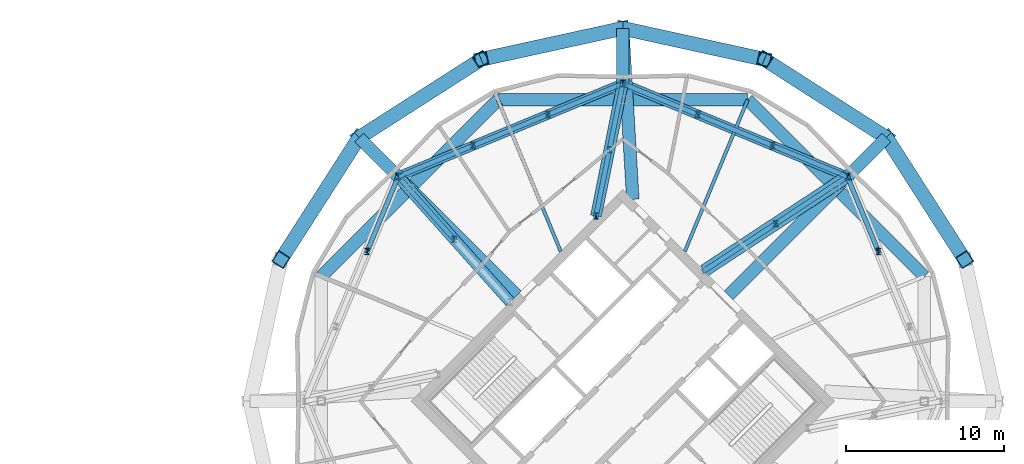
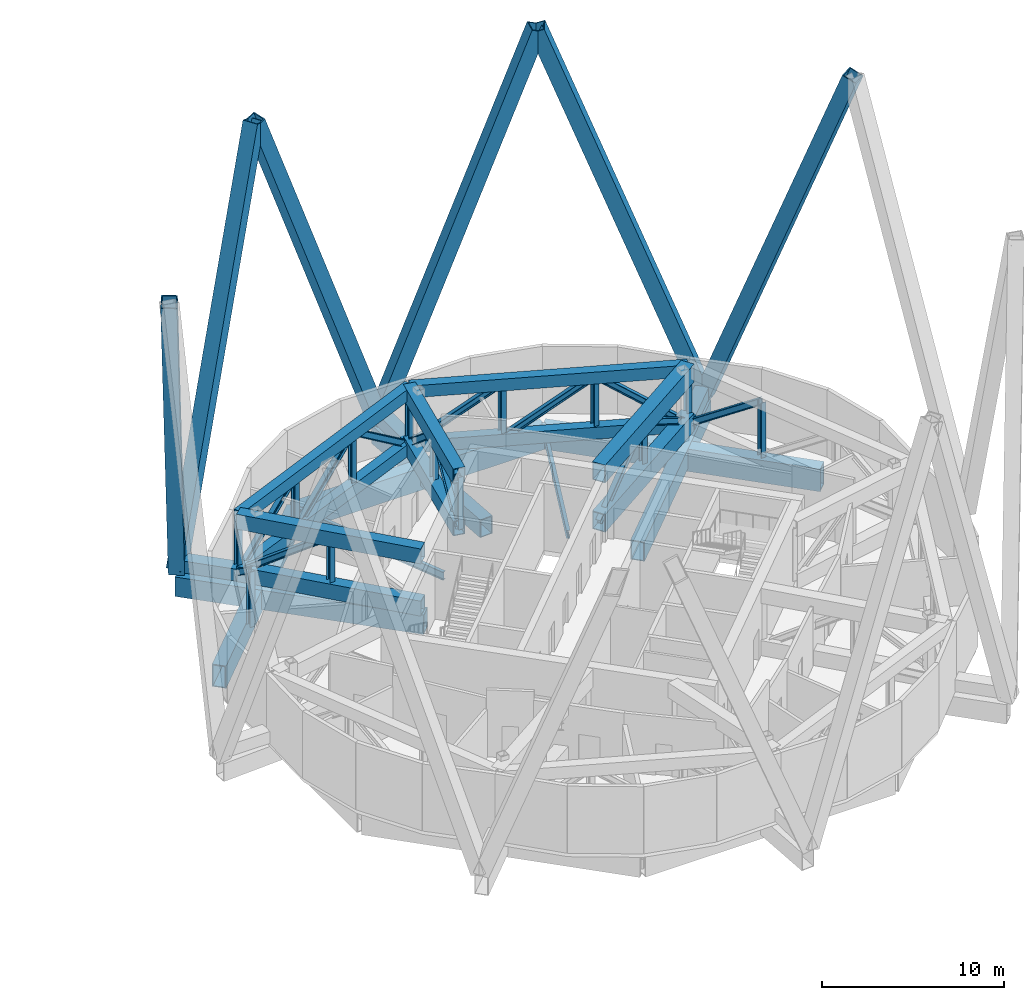
# One storey, part 10 of 19: 42 members, 11 beams.
"""IFC4 building model written with IfcOpenShell, lengths in metres."""

from ifc_helpers import new_model, si_unit, direction, frame, origin, origin_2d, place, context, subcontext, project, spatial, hollow_rectangle, i_section, extrude, material, material_profile, profile_set, type_object, element, save


model = new_model("IFC4")

# Units and contexts
model_context = context("Model", 3, precision=1e-05, world=origin(), true_north=direction((0.0, 1.0)))
body_context = subcontext(model_context, "Body", "Model", "MODEL_VIEW")
ifc_project = project(units=[si_unit("LENGTHUNIT", "METRE"), si_unit("AREAUNIT", "SQUARE_METRE"), si_unit("VOLUMEUNIT", "CUBIC_METRE"), si_unit("PLANEANGLEUNIT", "RADIAN"), si_unit("MASSUNIT", "GRAM", prefix="KILO")], contexts=[model_context])

# Site, building, storey
site_placement = place(None, origin())
site = spatial("IfcSite", under=ifc_project, at=site_placement, CompositionType="ELEMENT")
building_placement = place(site_placement, origin())
building = spatial("IfcBuilding", under=site, at=building_placement, Name="Ogive Gate Towers", CompositionType="ELEMENT")
storey_placement = place(building_placement, frame((0.0, 0.0, 216.300048828125)))
storey = spatial("IfcBuildingStorey", under=building, at=storey_placement, Name="L52", CompositionType="ELEMENT", Elevation=216.300048828125)

# Members
ifc_material_1 = material(Name="Steel SM460", Category="steel")
ifc_material_profile_1 = material_profile(ifc_material_1, hollow_rectangle(XDim=0.89990234375, YDim=0.89990234375, WallThickness=0.06005859375, at=origin_2d()), Name="BX 900x900x60")
ifc_profile_set_1 = profile_set([ifc_material_profile_1], Name="Steel SM460")
member_type_1 = type_object("IfcMemberType", Name="Diagrid diagonal BX 900x900x60", PredefinedType="BRACE", material=ifc_profile_set_1)
for number, where, z_axis, x_axis, name in (
    (1, (52.716064453125, 16.716064453125, 0.0), (0.190849196279, -0.297855932112, 0.935338670207), (0.841987125326, 0.539497618887, 0.0), "T2/L52/SDG003"),
    (2, (52.716064453125, 16.716064453125, 0.0), (-0.297855932112, 0.190849196279, 0.935338670207), (-0.539497618887, -0.841987125326, 0.0), "T2/L52/SDG004"),
    (3, (36.0, 23.639892578125, 0.0), (0.345566183474, -0.075657502601, 0.935339486571), (0.21387195941, 0.976861702074, 0.0), "T2/L52/SDG005"),
    (4, (36.0, 23.639892578125, 0.0), (-0.345566183474, -0.075657502601, 0.935339486571), (0.21387195941, -0.976861702074, 0.0), "T2/L52/SDG006"),
    (5, (19.283935546875, 16.716064453125, 0.0), (0.297855932112, 0.190849196279, 0.935338670207), (-0.539497618887, 0.841987125326, 0.0), "T2/L52/SDG007"),
    (6, (19.283935546875, 16.716064453125, 0.0), (-0.190849196279, -0.297855932112, 0.935338670207), (0.841987125326, -0.539497618887, 0.0), "T2/L52/SDG008"),
):
    element("IfcMember", number, at=place(storey_placement, frame(where, z_axis=z_axis, x_axis=x_axis)), inside=storey, type_object=member_type_1, Name=name, PredefinedType="BRACE", context=body_context, shape_type="SweptSolid", body=[
        extrude(hollow_rectangle(XDim=0.89990234375, YDim=0.89990234375, WallThickness=0.06005859375, at=origin_2d()), origin(), (0.0, 0.0, 1.0), 25.97998046875),
    ])

# Beams
ifc_material_profile_2 = material_profile(ifc_material_1, hollow_rectangle(XDim=0.800048828125, YDim=1.5, WallThickness=0.06005859375, at=origin_2d()), Name="BX 1500x800x60")
ifc_profile_set_2 = profile_set([ifc_material_profile_2], Name="Steel SM460")
beam_type_1 = type_object("IfcBeamType", Name="Edge girder BX 1500x800x60", PredefinedType="BEAM", material=ifc_profile_set_2)
beam_1_placement = place(storey_placement, frame((55.114990234375, 7.917724609375, -1.050048828125), z_axis=(-0.707106781187, 0.707106781187, 0.0), x_axis=(-0.707106781187, -0.707106781187, 0.0)))
element("IfcBeam", 7, at=beam_1_placement, inside=storey, type_object=beam_type_1, Name="T2/L52/SBM021", PredefinedType="BEAM", context=body_context, shape_type="SweptSolid", body=[
    extrude(hollow_rectangle(XDim=0.800048828125, YDim=1.5, WallThickness=0.06005859375, at=origin_2d()), origin(), (0.0, 0.0, 1.0), 15.835205078125),
])
beam_2_placement = place(storey_placement, frame((43.917724609375, 19.114990234375, -1.050048828125), z_axis=(-1.0, 0.0, 0.0), x_axis=(0.0, -1.0, 0.0)))
element("IfcBeam", 8, at=beam_2_placement, inside=storey, type_object=beam_type_1, Name="T2/L52/SBM022", PredefinedType="BEAM", context=body_context, shape_type="SweptSolid", body=[
    extrude(hollow_rectangle(XDim=0.800048828125, YDim=1.5, WallThickness=0.06005859375, at=origin_2d()), origin(), (0.0, 0.0, 1.0), 15.83544921875),
])
beam_3_placement = place(storey_placement, frame((28.082275390625, 19.114990234375, -1.050048828125), z_axis=(-0.707106781187, -0.707106781187, 0.0), x_axis=(0.707106781187, -0.707106781187, 0.0)))
element("IfcBeam", 9, at=beam_3_placement, inside=storey, type_object=beam_type_1, Name="T2/L52/SBM023", PredefinedType="BEAM", context=body_context, shape_type="SweptSolid", body=[
    extrude(hollow_rectangle(XDim=0.800048828125, YDim=1.5, WallThickness=0.06005859375, at=origin_2d()), origin(), (0.0, 0.0, 1.0), 15.835205078125),
])
ifc_material_profile_3 = material_profile(ifc_material_1, hollow_rectangle(XDim=0.800048828125, YDim=0.800048828125, WallThickness=0.050048828125, at=origin_2d()), Name="BX 800x800x50")
ifc_profile_set_3 = profile_set([ifc_material_profile_3], Name="Steel SM460")
beam_type_2 = type_object("IfcBeamType", Name="Node arm BX 800x800x50", PredefinedType="BEAM", material=ifc_profile_set_3)
for number, where, z_axis, x_axis, name in (
    (10, (50.2412109375, 14.2412109375, 0.449951171875), (0.707106781187, 0.707106781187, 0.0), (-0.707106781187, 0.707106781187, 0.0), "T2/L52/SBM026"),
    (11, (36.0, 20.139892578125, 0.449951171875), (0.0, 1.0, 0.0), (-1.0, 0.0, 0.0), "T2/L52/SBM027"),
    (12, (21.7587890625, 14.2412109375, 0.449951171875), (-0.707106781187, 0.707106781187, 0.0), (-0.707106781187, -0.707106781187, 0.0), "T2/L52/SBM028"),
):
    element("IfcBeam", number, at=place(storey_placement, frame(where, z_axis=z_axis, x_axis=x_axis)), inside=storey, type_object=beam_type_2, Name=name, PredefinedType="BEAM", context=body_context, shape_type="SweptSolid", body=[
        extrude(hollow_rectangle(XDim=0.800048828125, YDim=0.800048828125, WallThickness=0.050048828125, at=origin_2d()), origin(), (0.0, 0.0, 1.0), 3.5),
    ])
ifc_material_2 = material(Name="Steel SM355", Category="steel")
ifc_material_profile_4 = material_profile(ifc_material_2, i_section(OverallWidth=0.2099609375, OverallDepth=0.550048828125, WebThickness=0.010986328125, FlangeThickness=0.01708984375, FilletRadius=0.02392578125, at=origin_2d()), Name="IPE 550")
ifc_profile_set_4 = profile_set([ifc_material_profile_4], Name="Steel SM355")
beam_type_3 = type_object("IfcBeamType", Name="Radial floor beam IPE 550", PredefinedType="BEAM", material=ifc_profile_set_4)
for number, where, z_axis, x_axis, name in (
    (13, (39.93505859375, 9.5, -0.574951171875), (0.382683978464, 0.92387930631, 0.0), (-0.92387930631, 0.382683978464, 0.0), "T2/L52/SBM011"),
    (14, (32.06494140625, 9.5, -0.574951171875), (-0.382683978464, 0.92387930631, 0.0), (-0.92387930631, -0.382683978464, 0.0), "T2/L52/SBM013"),
):
    element("IfcBeam", number, at=place(storey_placement, frame(where, z_axis=z_axis, x_axis=x_axis)), inside=storey, type_object=beam_type_3, Name=name, PredefinedType="BEAM", context=body_context, shape_type="SweptSolid", body=[
        extrude(i_section(OverallWidth=0.2099609375, OverallDepth=0.550048828125, WebThickness=0.010986328125, FlangeThickness=0.01708984375, FilletRadius=0.02392578125, at=origin_2d()), origin(), (0.0, 0.0, 1.0), 10.4072265625),
    ])
ifc_material_profile_5 = material_profile(ifc_material_1, hollow_rectangle(XDim=0.800048828125, YDim=1.199951171875, WallThickness=0.050048828125, at=origin_2d()), Name="BX 1200x800x50")
ifc_profile_set_5 = profile_set([ifc_material_profile_5], Name="Steel SM460")
beam_type_4 = type_object("IfcBeamType", Name="Transfer radial beam BX 1200x800x50", PredefinedType="BEAM", material=ifc_profile_set_5)
beam_4_placement = place(storey_placement, frame((36.636474609375, 12.798583984375, -0.900146484375), z_axis=(-0.058607369633, 0.998281110822, 0.0), x_axis=(-0.998281110822, -0.058607369633, 0.0)))
element("IfcBeam", 15, at=beam_4_placement, inside=storey, type_object=beam_type_4, Name="T2/L52/SBM012", PredefinedType="BEAM", context=body_context, shape_type="SweptSolid", body=[
    extrude(hollow_rectangle(XDim=0.800048828125, YDim=1.199951171875, WallThickness=0.050048828125, at=origin_2d()), origin(), (0.0, 0.0, 1.0), 10.85986328125),
])
ifc_material_profile_6 = material_profile(ifc_material_1, hollow_rectangle(XDim=0.800048828125, YDim=1.300048828125, WallThickness=0.050048828125, at=origin_2d()), Name="BX 1300x800x50")
ifc_profile_set_6 = profile_set([ifc_material_profile_6], Name="Steel SM460")
beam_type_5 = type_object("IfcBeamType", Name="Transfer radial beam BX 1300x800x50", PredefinedType="BEAM", material=ifc_profile_set_6)
for number, where, z_axis, x_axis, name in (
    (16, (42.717529296875, 6.717529296875, -0.949951171875), (0.707106781187, 0.707106781187, 0.0), (-0.707106781187, 0.707106781187, 0.0), "T2/L52/SBM010"),
    (17, (29.282470703125, 6.717529296875, -0.949951171875), (-0.707106781187, 0.707106781187, 0.0), (-0.707106781187, -0.707106781187, 0.0), "T2/L52/SBM014"),
):
    element("IfcBeam", number, at=place(storey_placement, frame(where, z_axis=z_axis, x_axis=x_axis)), inside=storey, type_object=beam_type_5, Name=name, PredefinedType="BEAM", context=body_context, shape_type="SweptSolid", body=[
        extrude(hollow_rectangle(XDim=0.800048828125, YDim=1.300048828125, WallThickness=0.050048828125, at=origin_2d()), origin(), (0.0, 0.0, 1.0), 14.14013671875),
    ])

# Members
ifc_material_profile_7 = material_profile(ifc_material_1, hollow_rectangle(XDim=0.699951171875, YDim=1.0, WallThickness=0.050048828125, at=origin_2d()), Name="BX 1000x700x50")
ifc_profile_set_7 = profile_set([ifc_material_profile_7], Name="Steel SM460")
member_type_2 = type_object("IfcMemberType", Name="Truss chord BX 1000x700x50", PredefinedType="CHORD", material=ifc_profile_set_7)
for number, where, z_axis, x_axis, name in (
    (18, (34.302978515625, 11.738037109375, 0.5), (0.197983590417, 0.980205334573, 0.0), (-0.980205334573, 0.197983590417, 0.0), "T2/L52/STR038"),
    (19, (34.302978515625, 11.738037109375, 4.0), (0.197983590417, 0.980205334573, 0.0), (-0.980205334573, 0.197983590417, 0.0), "T2/L52/STR039"),
):
    element("IfcMember", number, at=place(storey_placement, frame(where, z_axis=z_axis, x_axis=x_axis)), inside=storey, type_object=member_type_2, Name=name, PredefinedType="CHORD", context=body_context, shape_type="SweptSolid", body=[
        extrude(hollow_rectangle(XDim=0.699951171875, YDim=1.0, WallThickness=0.050048828125, at=origin_2d()), origin(), (0.0, 0.0, 1.0), 8.571533203125),
    ])
for number, where, z_axis, x_axis, name in (
    (20, (28.858154296875, 6.293212890625, 0.5), (-0.666169175231, 0.745800663697, 0.0), (-0.745800663697, -0.666169175231, 0.0), "T2/L52/STR052"),
    (21, (28.858154296875, 6.293212890625, 4.0), (-0.666169175231, 0.745800663697, 0.0), (-0.745800663697, -0.666169175231, 0.0), "T2/L52/STR053"),
):
    element("IfcMember", number, at=place(storey_placement, frame(where, z_axis=z_axis, x_axis=x_axis)), inside=storey, type_object=member_type_2, Name=name, PredefinedType="CHORD", context=body_context, shape_type="SweptSolid", body=[
        extrude(hollow_rectangle(XDim=0.699951171875, YDim=1.0, WallThickness=0.050048828125, at=origin_2d()), origin(), (0.0, 0.0, 1.0), 10.656982421875),
    ])
ifc_material_profile_8 = material_profile(ifc_material_1, hollow_rectangle(XDim=0.800048828125, YDim=1.199951171875, WallThickness=0.050048828125, at=origin_2d()), Name="BX 1200x800x50")
ifc_profile_set_8 = profile_set([ifc_material_profile_8], Name="Steel SM460")
member_type_3 = type_object("IfcMemberType", Name="Truss chord BX 1200x800x50", PredefinedType="CHORD", material=ifc_profile_set_8)
for number, where, z_axis, x_axis, name in (
    (22, (41.161865234375, 8.273193359375, 0.599853515625), (0.835638293924, 0.549280112263, 0.0), (-0.549280112263, 0.835638293924, 0.0), "T2/L52/STR024"),
    (23, (41.161865234375, 8.273193359375, 3.89990234375), (0.835638293924, 0.549280112263, 0.0), (-0.549280112263, 0.835638293924, 0.0), "T2/L52/STR025"),
):
    element("IfcMember", number, at=place(storey_placement, frame(where, z_axis=z_axis, x_axis=x_axis)), inside=storey, type_object=member_type_3, Name=name, PredefinedType="CHORD", context=body_context, shape_type="SweptSolid", body=[
        extrude(hollow_rectangle(XDim=0.800048828125, YDim=1.199951171875, WallThickness=0.050048828125, at=origin_2d()), origin(), (0.0, 0.0, 1.0), 10.865234375),
    ])
ifc_material_profile_9 = material_profile(ifc_material_1, hollow_rectangle(XDim=0.60009765625, YDim=0.800048828125, WallThickness=0.0400390625, at=origin_2d()), Name="BX 800x600x40")
ifc_profile_set_9 = profile_set([ifc_material_profile_9], Name="Steel SM460")
member_type_4 = type_object("IfcMemberType", Name="Truss chord BX 800x600x40", PredefinedType="CHORD", material=ifc_profile_set_9)
for number, where, z_axis, x_axis, name in (
    (24, (50.2412109375, 14.2412109375, 0.39990234375), (-0.923884603085, 0.382671190687, 0.0), (-0.382671190687, -0.923884603085, 0.0), "T2/L52/STR016"),
    (25, (50.2412109375, 14.2412109375, 4.099853515625), (-0.923884603085, 0.382671190687, 0.0), (-0.382671190687, -0.923884603085, 0.0), "T2/L52/STR017"),
    (26, (36.0, 20.139892578125, 0.39990234375), (-0.923884603085, -0.382671190687, 0.0), (0.382671190687, -0.923884603085, 0.0), "T2/L52/STR030"),
    (27, (36.0, 20.139892578125, 4.099853515625), (-0.923884603085, -0.382671190687, 0.0), (0.382671190687, -0.923884603085, 0.0), "T2/L52/STR031"),
):
    element("IfcMember", number, at=place(storey_placement, frame(where, z_axis=z_axis, x_axis=x_axis)), inside=storey, type_object=member_type_4, Name=name, PredefinedType="CHORD", context=body_context, shape_type="SweptSolid", body=[
        extrude(hollow_rectangle(XDim=0.60009765625, YDim=0.800048828125, WallThickness=0.0400390625, at=origin_2d()), origin(), (0.0, 0.0, 1.0), 15.41455078125),
    ])
ifc_material_profile_10 = material_profile(ifc_material_1, i_section(OverallWidth=0.300048828125, OverallDepth=0.39990234375, WebThickness=0.013427734375, FlangeThickness=0.02392578125, FilletRadius=0.027099609375, at=origin_2d()), Name="HE 400 B")
ifc_profile_set_10 = profile_set([ifc_material_profile_10], Name="Steel SM460")
member_type_5 = type_object("IfcMemberType", Name="Truss diagonal HE 400 B", PredefinedType="BRACE", material=ifc_profile_set_10)
for number, where, z_axis, x_axis, name in (
    (28, (52.20751953125, 9.494140625, 4.099853515625), (-0.310548860821, 0.74972833993, -0.58435162475), (-0.923879003455, -0.382684709619, 0.0), "T2/L52/STR005"),
    (29, (50.2412109375, 14.2412109375, 0.39990234375), (-0.74972833993, 0.310548860821, 0.58435162475), (-0.382684709619, -0.923879003455, 0.0), "T2/L52/STR018"),
    (30, (45.494140625, 16.20751953125, 4.099853515625), (-0.74972833993, 0.310548860821, -0.58435162475), (-0.382684709619, -0.923879003455, 0.0), "T2/L52/STR019"),
):
    element("IfcMember", number, at=place(storey_placement, frame(where, z_axis=z_axis, x_axis=x_axis)), inside=storey, type_object=member_type_5, Name=name, PredefinedType="BRACE", context=body_context, shape_type="SweptSolid", body=[
        extrude(i_section(OverallWidth=0.300048828125, OverallDepth=0.39990234375, WebThickness=0.013427734375, FlangeThickness=0.02392578125, FilletRadius=0.027099609375, at=origin_2d()), origin(), (0.0, 0.0, 1.0), 6.331787109375),
    ])
member_1_placement = place(storey_placement, frame((40.7470703125, 18.173828125, 4.099853515625), z_axis=(-0.749737316967, 0.310514020445, -0.584358621613), x_axis=(-0.382644152086, -0.923895801957, 0.0)))
element("IfcMember", 31, at=member_1_placement, inside=storey, type_object=member_type_5, Name="T2/L52/STR020", PredefinedType="BRACE", context=body_context, shape_type="SweptSolid", body=[
    extrude(i_section(OverallWidth=0.300048828125, OverallDepth=0.39990234375, WebThickness=0.013427734375, FlangeThickness=0.02392578125, FilletRadius=0.027099609375, at=origin_2d()), origin(), (0.0, 0.0, 1.0), 6.33154296875),
])
member_2_placement = place(storey_placement, frame((41.161865234375, 8.273193359375, 0.599853515625), z_axis=(0.71419128267, 0.46944422162, 0.519184875113), x_axis=(-0.549274735187, 0.835641828348, 0.0)))
element("IfcMember", 32, at=member_2_placement, inside=storey, type_object=member_type_5, Name="T2/L52/STR026", PredefinedType="BRACE", context=body_context, shape_type="SweptSolid", body=[
    extrude(i_section(OverallWidth=0.300048828125, OverallDepth=0.39990234375, WebThickness=0.013427734375, FlangeThickness=0.02392578125, FilletRadius=0.027099609375, at=origin_2d()), origin(), (0.0, 0.0, 1.0), 6.356201171875),
])
member_3_placement = place(storey_placement, frame((45.701416015625, 11.257080078125, 3.89990234375), z_axis=(0.714197222457, 0.469461287985, -0.519161272167), x_axis=(-0.549285488982, 0.835634759685, 0.0)))
element("IfcMember", 33, at=member_3_placement, inside=storey, type_object=member_type_5, Name="T2/L52/STR027", PredefinedType="BRACE", context=body_context, shape_type="SweptSolid", body=[
    extrude(i_section(OverallWidth=0.300048828125, OverallDepth=0.39990234375, WebThickness=0.013427734375, FlangeThickness=0.02392578125, FilletRadius=0.027099609375, at=origin_2d()), origin(), (0.0, 0.0, 1.0), 6.3564453125),
])
member_4_placement = place(storey_placement, frame((36.0, 20.139892578125, 0.39990234375), z_axis=(-0.749737316967, -0.310514020445, 0.584358621613), x_axis=(0.382644152086, -0.923895801957, 0.0)))
element("IfcMember", 34, at=member_4_placement, inside=storey, type_object=member_type_5, Name="T2/L52/STR032", PredefinedType="BRACE", context=body_context, shape_type="SweptSolid", body=[
    extrude(i_section(OverallWidth=0.300048828125, OverallDepth=0.39990234375, WebThickness=0.013427734375, FlangeThickness=0.02392578125, FilletRadius=0.027099609375, at=origin_2d()), origin(), (0.0, 0.0, 1.0), 6.33154296875),
])
for number, where, z_axis, x_axis, name in (
    (35, (31.2529296875, 18.173828125, 4.099853515625), (-0.74972833993, -0.310548860821, -0.58435162475), (0.382684709619, -0.923879003455, 0.0), "T2/L52/STR033"),
    (36, (26.505859375, 16.20751953125, 4.099853515625), (-0.74972833993, -0.310548860821, -0.58435162475), (0.382684709619, -0.923879003455, 0.0), "T2/L52/STR034"),
):
    element("IfcMember", number, at=place(storey_placement, frame(where, z_axis=z_axis, x_axis=x_axis)), inside=storey, type_object=member_type_5, Name=name, PredefinedType="BRACE", context=body_context, shape_type="SweptSolid", body=[
        extrude(i_section(OverallWidth=0.300048828125, OverallDepth=0.39990234375, WebThickness=0.013427734375, FlangeThickness=0.02392578125, FilletRadius=0.027099609375, at=origin_2d()), origin(), (0.0, 0.0, 1.0), 6.331787109375),
    ])
member_5_placement = place(storey_placement, frame((34.302978515625, 11.738037109375, 0.5), z_axis=(0.153323806325, 0.759206542571, 0.632532399274), x_axis=(-0.980210861715, 0.197956223889, 0.0)))
element("IfcMember", 37, at=member_5_placement, inside=storey, type_object=member_type_5, Name="T2/L52/STR040", PredefinedType="BRACE", context=body_context, shape_type="SweptSolid", body=[
    extrude(i_section(OverallWidth=0.300048828125, OverallDepth=0.39990234375, WebThickness=0.013427734375, FlangeThickness=0.02392578125, FilletRadius=0.027099609375, at=origin_2d()), origin(), (0.0, 0.0, 1.0), 5.533203125),
])
member_6_placement = place(storey_placement, frame((35.1513671875, 15.93896484375, 4.0), z_axis=(0.153366890619, 0.759201405893, -0.632528119653), x_axis=(-0.98019980673, 0.198010956482, 0.0)))
element("IfcMember", 38, at=member_6_placement, inside=storey, type_object=member_type_5, Name="T2/L52/STR041", PredefinedType="BRACE", context=body_context, shape_type="SweptSolid", body=[
    extrude(i_section(OverallWidth=0.300048828125, OverallDepth=0.39990234375, WebThickness=0.013427734375, FlangeThickness=0.02392578125, FilletRadius=0.027099609375, at=origin_2d()), origin(), (0.0, 0.0, 1.0), 5.533447265625),
])
member_7_placement = place(storey_placement, frame((21.7587890625, 14.2412109375, 0.39990234375), z_axis=(-0.310548860821, -0.74972833993, 0.58435162475), x_axis=(0.923879003455, -0.382684709619, 0.0)))
element("IfcMember", 39, at=member_7_placement, inside=storey, type_object=member_type_5, Name="T2/L52/STR046", PredefinedType="BRACE", context=body_context, shape_type="SweptSolid", body=[
    extrude(i_section(OverallWidth=0.300048828125, OverallDepth=0.39990234375, WebThickness=0.013427734375, FlangeThickness=0.02392578125, FilletRadius=0.027099609375, at=origin_2d()), origin(), (0.0, 0.0, 1.0), 6.331787109375),
])
member_8_placement = place(storey_placement, frame((25.30859375, 10.267333984375, 4.0), z_axis=(-0.556817130401, 0.623336480849, -0.549004840539), x_axis=(-0.745779114868, -0.666193299145, 0.0)))
element("IfcMember", 40, at=member_8_placement, inside=storey, type_object=member_type_5, Name="T2/L52/STR055", PredefinedType="BRACE", context=body_context, shape_type="SweptSolid", body=[
    extrude(i_section(OverallWidth=0.300048828125, OverallDepth=0.39990234375, WebThickness=0.013427734375, FlangeThickness=0.02392578125, FilletRadius=0.027099609375, at=origin_2d()), origin(), (0.0, 0.0, 1.0), 6.375244140625),
])
ifc_material_profile_11 = material_profile(ifc_material_1, i_section(OverallWidth=0.300048828125, OverallDepth=0.39990234375, WebThickness=0.013427734375, FlangeThickness=0.02392578125, FilletRadius=0.027099609375, at=origin_2d()), Name="HE 400 B")
ifc_profile_set_11 = profile_set([ifc_material_profile_11], Name="Steel SM460")
member_type_6 = type_object("IfcMemberType", Name="Truss post HE 400 B", PredefinedType="POST", material=ifc_profile_set_11)
for number, where, z_axis, x_axis, name in (
    (41, (52.20751953125, 9.494140625, 0.39990234375), (0.0, 0.0, 1.0), (1.0, 0.0, 0.0), "T2/L52/STR008"),
    (42, (50.2412109375, 14.2412109375, 0.39990234375), (0.0, 0.0, 1.0), (1.0, 0.0, 0.0), "T2/L52/STR009"),
    (43, (45.494140625, 16.20751953125, 0.39990234375), (0.0, 0.0, 1.0), (1.0, 0.0, 0.0), "T2/L52/STR021"),
    (44, (40.7470703125, 18.173828125, 0.39990234375), (0.0, 0.0, 1.0), (1.0, 0.0, 0.0), "T2/L52/STR022"),
    (45, (36.0, 20.139892578125, 0.39990234375), (0.0, 0.0, 1.0), (1.0, 0.0, 0.0), "T2/L52/STR023"),
):
    element("IfcMember", number, at=place(storey_placement, frame(where, z_axis=z_axis, x_axis=x_axis)), inside=storey, type_object=member_type_6, Name=name, PredefinedType="POST", context=body_context, shape_type="SweptSolid", body=[
        extrude(i_section(OverallWidth=0.300048828125, OverallDepth=0.39990234375, WebThickness=0.013427734375, FlangeThickness=0.02392578125, FilletRadius=0.027099609375, at=origin_2d()), origin(), (0.0, 0.0, 1.0), 3.699951171875),
    ])
member_9_placement = place(storey_placement, frame((45.701416015625, 11.257080078125, 0.599853515625), z_axis=(0.0, 0.0, 1.0), x_axis=(1.0, 0.0, 0.0)))
element("IfcMember", 46, at=member_9_placement, inside=storey, type_object=member_type_6, Name="T2/L52/STR029", PredefinedType="POST", context=body_context, shape_type="SweptSolid", body=[
    extrude(i_section(OverallWidth=0.300048828125, OverallDepth=0.39990234375, WebThickness=0.013427734375, FlangeThickness=0.02392578125, FilletRadius=0.027099609375, at=origin_2d()), origin(), (0.0, 0.0, 1.0), 3.300048828125),
])
for number, where, z_axis, x_axis, name in (
    (47, (31.2529296875, 18.173828125, 0.39990234375), (0.0, 0.0, 1.0), (1.0, 0.0, 0.0), "T2/L52/STR035"),
    (48, (26.505859375, 16.20751953125, 0.39990234375), (0.0, 0.0, 1.0), (1.0, 0.0, 0.0), "T2/L52/STR036"),
    (49, (21.7587890625, 14.2412109375, 0.39990234375), (0.0, 0.0, 1.0), (1.0, 0.0, 0.0), "T2/L52/STR037"),
):
    element("IfcMember", number, at=place(storey_placement, frame(where, z_axis=z_axis, x_axis=x_axis)), inside=storey, type_object=member_type_6, Name=name, PredefinedType="POST", context=body_context, shape_type="SweptSolid", body=[
        extrude(i_section(OverallWidth=0.300048828125, OverallDepth=0.39990234375, WebThickness=0.013427734375, FlangeThickness=0.02392578125, FilletRadius=0.027099609375, at=origin_2d()), origin(), (0.0, 0.0, 1.0), 3.699951171875),
    ])
for number, where, z_axis, x_axis, name in (
    (50, (34.302978515625, 11.738037109375, 0.5), (0.0, 0.0, 1.0), (1.0, 0.0, 0.0), "T2/L52/STR042"),
    (51, (35.1513671875, 15.93896484375, 0.5), (0.0, 0.0, 1.0), (1.0, 0.0, 0.0), "T2/L52/STR043"),
):
    element("IfcMember", number, at=place(storey_placement, frame(where, z_axis=z_axis, x_axis=x_axis)), inside=storey, type_object=member_type_6, Name=name, PredefinedType="POST", context=body_context, shape_type="SweptSolid", body=[
        extrude(i_section(OverallWidth=0.300048828125, OverallDepth=0.39990234375, WebThickness=0.013427734375, FlangeThickness=0.02392578125, FilletRadius=0.027099609375, at=origin_2d()), origin(), (0.0, 0.0, 1.0), 3.5),
    ])
member_10_placement = place(storey_placement, frame((19.79248046875, 9.494140625, 0.39990234375), z_axis=(0.0, 0.0, 1.0), x_axis=(1.0, 0.0, 0.0)))
element("IfcMember", 52, at=member_10_placement, inside=storey, type_object=member_type_6, Name="T2/L52/STR049", PredefinedType="POST", context=body_context, shape_type="SweptSolid", body=[
    extrude(i_section(OverallWidth=0.300048828125, OverallDepth=0.39990234375, WebThickness=0.013427734375, FlangeThickness=0.02392578125, FilletRadius=0.027099609375, at=origin_2d()), origin(), (0.0, 0.0, 1.0), 3.699951171875),
])
member_11_placement = place(storey_placement, frame((25.30859375, 10.267333984375, 0.5), z_axis=(0.0, 0.0, 1.0), x_axis=(1.0, 0.0, 0.0)))
element("IfcMember", 53, at=member_11_placement, inside=storey, type_object=member_type_6, Name="T2/L52/STR057", PredefinedType="POST", context=body_context, shape_type="SweptSolid", body=[
    extrude(i_section(OverallWidth=0.300048828125, OverallDepth=0.39990234375, WebThickness=0.013427734375, FlangeThickness=0.02392578125, FilletRadius=0.027099609375, at=origin_2d()), origin(), (0.0, 0.0, 1.0), 3.5),
])

save(model, "model.ifc")
